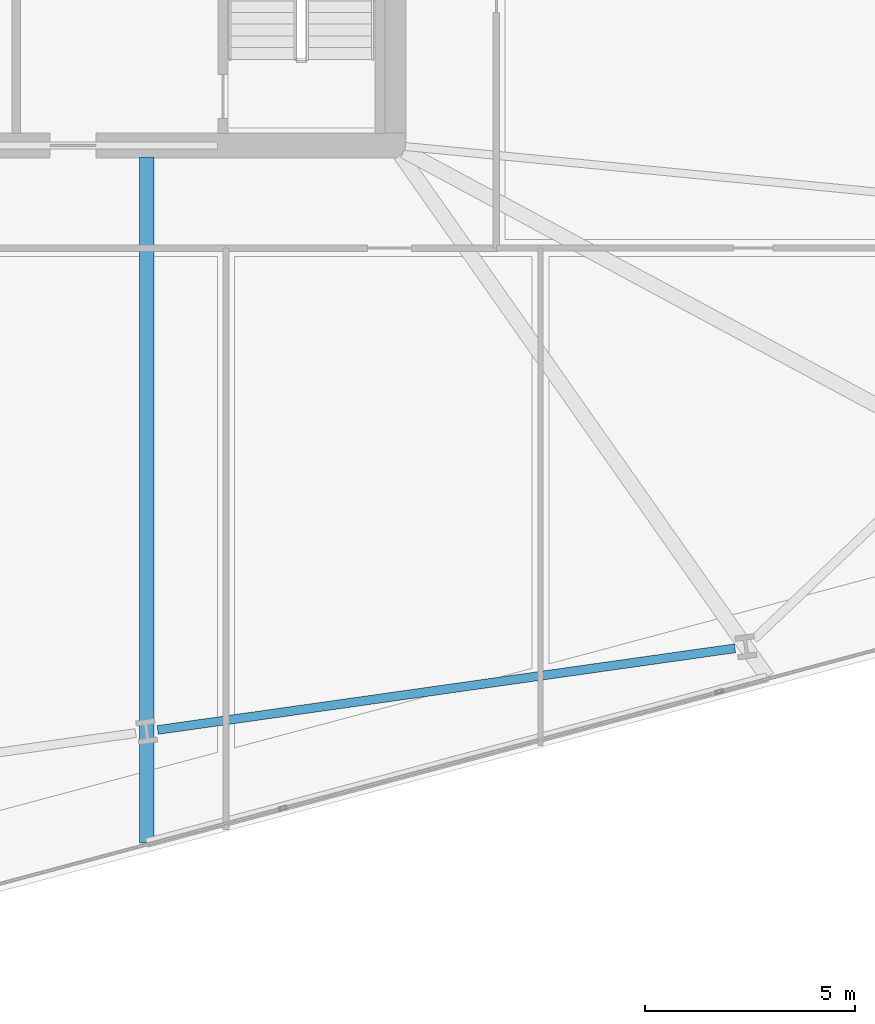
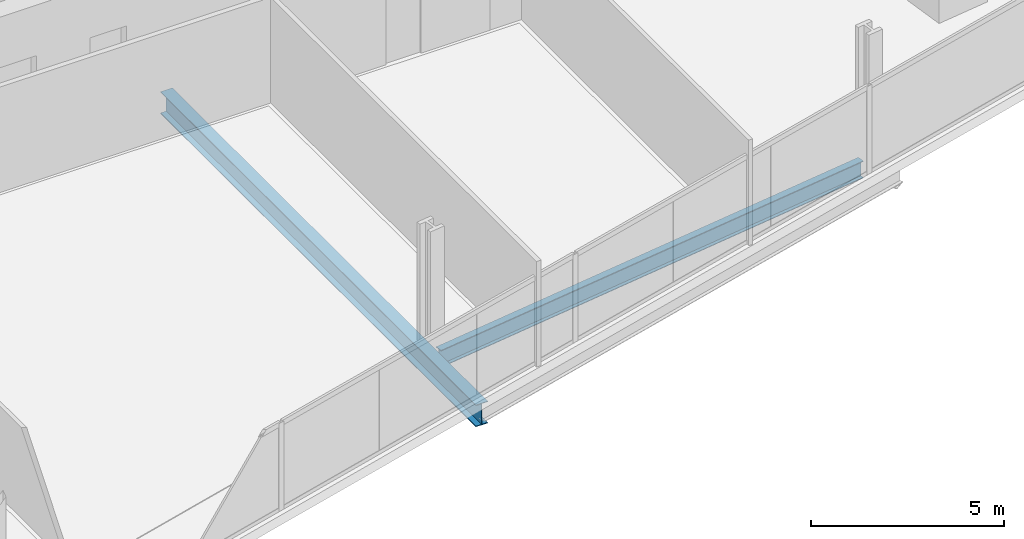
# One storey, part 8 of 33: 2 beams.
"""IFC4 building model written with IfcOpenShell, lengths in metres."""

import ifcopenshell
import ifcopenshell.guid

model = None  # the IFC model being written
_history = None  # IfcOwnerHistory: only IFC2X3 demands one
_inside = {}  # id of a spatial element -> (the spatial element, [elements in it])
_under = {}  # id of a project, library or spatial element -> (it, [spatial elements below it])
_declared = {}  # id of a project -> (the project, [libraries it declares])
_typed = {}  # id of a type object -> (the type object, [elements of that type])
_made_of = {}  # id of a material, layer set ... -> (it, [elements and type objects made of it])


def new_model(schema):
    """Start an empty IFC model of exactly this schema.

    Asked for "IFC4X3", IfcOpenShell would pick the latest addendum, in which some entities
    have other attributes; the version numbers below select the first issue.
    IFC2X3 requires an IfcOwnerHistory on every rooted entity: one is made here for all.
    """
    global model, _history
    if schema == "IFC4X3":
        model = ifcopenshell.file(schema_version=(4, 3, 0, 0))
    else:
        model = ifcopenshell.file(schema=schema)
    _inside.clear()
    _under.clear()
    _declared.clear()
    _typed.clear()
    _made_of.clear()
    _history = None
    if model.schema == "IFC2X3":
        org = make("IfcOrganization", Name="unknown")
        user = make(
            "IfcPersonAndOrganization",
            ThePerson=make("IfcPerson", FamilyName="unknown"),
            TheOrganization=org,
        )
        app = make(
            "IfcApplication",
            ApplicationDeveloper=org,
            Version="unknown",
            ApplicationFullName="unknown",
            ApplicationIdentifier="unknown",
        )
        _history = make(
            "IfcOwnerHistory",
            OwningUser=user,
            OwningApplication=app,
            ChangeAction="ADDED",
            CreationDate=0,
        )
    return model


def make(cls, **values):
    """One entity of the class cls with the attributes given. An attribute that is None is left unset."""
    return model.create_entity(
        cls, **{name: value for name, value in values.items() if value is not None}
    )


def rooted(cls, **values):
    """An entity with a GlobalId (a new one), such as an element, a storey or a relation."""
    return make(cls, GlobalId=ifcopenshell.guid.new(), OwnerHistory=_history, **values)


def si_unit(unit_type, name, prefix=None):
    """IfcSIUnit, for example si_unit("LENGTHUNIT", "METRE", prefix="MILLI")."""
    return make("IfcSIUnit", UnitType=unit_type, Prefix=prefix, Name=name)


def assignment(units):
    """IfcUnitAssignment: the units of a project."""
    return None if units is None else make("IfcUnitAssignment", Units=units)


def point(xyz):
    """IfcCartesianPoint."""
    return None if xyz is None else make("IfcCartesianPoint", Coordinates=xyz)


def direction(xyz):
    """IfcDirection."""
    return None if xyz is None else make("IfcDirection", DirectionRatios=xyz)


def frame(location, z_axis=None, x_axis=None):
    """IfcAxis2Placement3D, a coordinate frame: its origin and axes. An axis left out is left unset."""
    return make(
        "IfcAxis2Placement3D",
        Location=point(location),
        Axis=direction(z_axis),
        RefDirection=direction(x_axis),
    )


def frame_2d(location, x_axis=None):
    """IfcAxis2Placement2D, a coordinate frame in the plane: its origin and x axis."""
    return make(
        "IfcAxis2Placement2D", Location=point(location), RefDirection=direction(x_axis)
    )


def origin():
    """The frame at (0, 0, 0) with its axes left unset."""
    return frame((0.0, 0.0, 0.0))


def origin_2d():
    """The frame at (0, 0) in the plane with its x axis left unset."""
    return frame_2d((0.0, 0.0))


def place(relative_to, where):
    """IfcLocalPlacement: puts the frame where relative to a parent placement (None: the world)."""
    return make(
        "IfcLocalPlacement", PlacementRelTo=relative_to, RelativePlacement=where
    )


def context(
    kind, dimensions, precision=None, world=None, true_north=None, identifier=None
):
    """IfcGeometricRepresentationContext, for example the 3D "Model" context."""
    return make(
        "IfcGeometricRepresentationContext",
        ContextIdentifier=identifier,
        ContextType=kind,
        CoordinateSpaceDimension=dimensions,
        Precision=precision,
        WorldCoordinateSystem=world,
        TrueNorth=true_north,
    )


def subcontext(parent, identifier, kind, view, scale=None):
    """IfcGeometricRepresentationSubContext, for example "Body" below "Model"."""
    return make(
        "IfcGeometricRepresentationSubContext",
        ContextIdentifier=identifier,
        ContextType=kind,
        ParentContext=parent,
        TargetScale=scale,
        TargetView=view,
    )


def project(units=None, contexts=None):
    """IfcProject with its units and contexts."""
    return rooted(
        "IfcProject",
        Name="project",
        RepresentationContexts=contexts,
        UnitsInContext=assignment(units),
    )


def spatial(cls, under=None, at=None, **own):
    """A site, building, storey or space (cls), placed at a placement, below another one or the project."""
    s = rooted(cls, ObjectPlacement=at, **own)
    if under is not None:
        _under.setdefault(under.id(), (under, []))[1].append(s)
    return s


def profile(cls, at=None, kind="AREA", **sizes):
    """A parametric profile (cls). Its sizes go by their IFC names, for example OverallWidth=200.0."""
    return make(cls, ProfileType=kind, Position=at, **sizes)


def i_section(**sizes):
    """IfcIShapeProfileDef."""
    return profile("IfcIShapeProfileDef", **sizes)


def extrude(swept, where, along, depth):
    """IfcExtrudedAreaSolid: the profile swept, set in the frame where, extruded along a direction by depth."""
    return make(
        "IfcExtrudedAreaSolid",
        SweptArea=swept,
        Position=where,
        ExtrudedDirection=direction(along),
        Depth=depth,
    )


def shape(context_of_items, identifier, shape_type, items):
    """IfcShapeRepresentation: the items that make up one representation, for example the "Body"."""
    return make(
        "IfcShapeRepresentation",
        ContextOfItems=context_of_items,
        RepresentationIdentifier=identifier,
        RepresentationType=shape_type,
        Items=items,
    )


def material(Name=None, Category=None):
    """IfcMaterial."""
    return make("IfcMaterial", Name=Name, Category=Category)


def material_profile(
    of_material, cross_section, Name=None, Category=None, Priority=None
):
    """IfcMaterialProfile: a cross section and its material."""
    return make(
        "IfcMaterialProfile",
        Name=Name,
        Material=of_material,
        Profile=cross_section,
        Priority=Priority,
        Category=Category,
    )


def profile_set(profiles, Name=None, composite=None):
    """IfcMaterialProfileSet."""
    return make(
        "IfcMaterialProfileSet",
        Name=Name,
        MaterialProfiles=profiles,
        CompositeProfile=composite,
    )


def made_of(thing, what):
    """Note that an element or type object is made of a material, layer set ...; save() writes the relation."""
    if what is not None:
        _made_of.setdefault(what.id(), (what, []))[1].append(thing)
    return thing


def type_object(cls, material=None, **own):
    """A type object (cls), such as IfcWallType, which elements share."""
    return made_of(rooted(cls, **own), material)


def element(
    cls,
    number,
    at=None,
    inside=None,
    cuts=None,
    type_object=None,
    material=None,
    context=None,
    identifier="Body",
    shape_type=None,
    held_by="IfcProductDefinitionShape",
    body=None,
    shapes=None,
    **own,
):
    """One element of the class cls, such as IfcWall. Its Tag is "e" and its number.

    at: its placement. inside: the storey or other place that contains it. cuts: it is an
    opening in that element (IfcRelVoidsElement). A single representation is given by context,
    identifier, shape_type and body (its items); several are given by shapes. held_by: the class
    of the entity that holds the representations. save() writes the other relations.
    """
    e = rooted(cls, Tag="e%d" % number, ObjectPlacement=at, **own)
    if body is not None:
        shapes = [shape(context, identifier, shape_type, body)]
    if shapes is not None:
        e.Representation = make(held_by, Representations=shapes)
    if inside is not None:
        _inside.setdefault(inside.id(), (inside, []))[1].append(e)
    if cuts is not None:
        rooted(
            "IfcRelVoidsElement", RelatingBuildingElement=cuts, RelatedOpeningElement=e
        )
    if type_object is not None:
        _typed.setdefault(type_object.id(), (type_object, []))[1].append(e)
    return made_of(e, material)


def aggregate(whole, parts):
    """IfcRelAggregates: a whole, such as a stair, and the parts it consists of."""
    return rooted("IfcRelAggregates", RelatingObject=whole, RelatedObjects=parts)


def save(model, path):
    """Write the relations noted so far, then the file.

    IfcRelAggregates (storeys below a building ...), IfcRelContainedInSpatialStructure (elements
    in a storey), IfcRelDefinesByType, IfcRelAssociatesMaterial and IfcRelDeclares: one each for
    every whole, place, type object, material and project.
    """
    for whole, parts in _under.values():
        aggregate(whole, parts)
    for where, things in _inside.values():
        rooted(
            "IfcRelContainedInSpatialStructure",
            RelatedElements=things,
            RelatingStructure=where,
        )
    for kind, things in _typed.values():
        rooted("IfcRelDefinesByType", RelatedObjects=things, RelatingType=kind)
    for what, things in _made_of.values():
        rooted("IfcRelAssociatesMaterial", RelatedObjects=things, RelatingMaterial=what)
    for by, libraries in _declared.values():
        rooted("IfcRelDeclares", RelatingContext=by, RelatedDefinitions=libraries)
    model.write(path)


model = new_model("IFC4")

# Units and contexts
model_context = context("Model", 3, precision=1e-05, world=origin(), true_north=direction((0.0, 1.0)))
body_context = subcontext(model_context, "Body", "Model", "MODEL_VIEW")
ifc_project = project(units=[si_unit("LENGTHUNIT", "METRE"), si_unit("AREAUNIT", "SQUARE_METRE"), si_unit("VOLUMEUNIT", "CUBIC_METRE"), si_unit("PLANEANGLEUNIT", "RADIAN"), si_unit("MASSUNIT", "GRAM", prefix="KILO")], contexts=[model_context])

# Site, building, storey
site_placement = place(None, origin())
site = spatial("IfcSite", under=ifc_project, at=site_placement, CompositionType="ELEMENT")
building_placement = place(site_placement, origin())
building = spatial("IfcBuilding", under=site, at=building_placement, Name="Haldenkirk Collegiate Tower", CompositionType="ELEMENT")
storey_placement = place(building_placement, frame((0.0, 0.0, 77.699951171875)))
storey = spatial("IfcBuildingStorey", under=building, at=storey_placement, Name="L18", CompositionType="ELEMENT", Elevation=77.699951171875)

# Beams
ifc_material = material(Name="Steel ASTM A992 Grade 50", Category="steel")
ifc_material_profile_1 = material_profile(ifc_material, i_section(OverallWidth=0.35498046875, OverallDepth=0.696044921875, WebThickness=0.015380859375, FlangeThickness=0.02490234375, at=origin_2d()), Name="W27X146")
ifc_profile_set_1 = profile_set([ifc_material_profile_1], Name="Steel ASTM A992 Grade 50")
beam_type_1 = type_object("IfcBeamType", Name="BM-GIRDER-W27X146", PredefinedType="BEAM", material=ifc_profile_set_1)
beam_1_placement = place(storey_placement, frame((39.10888671875, 1.363037109375, -0.657958984375), z_axis=(0.0, 1.0, 0.0), x_axis=(-1.0, 0.0, 0.0)))
element("IfcBeam", 1, at=beam_1_placement, inside=storey, type_object=beam_type_1, Name="L18 primary floor girder 06", PredefinedType="BEAM", context=body_context, shape_type="SweptSolid", body=[
    extrude(i_section(OverallWidth=0.35498046875, OverallDepth=0.696044921875, WebThickness=0.015380859375, FlangeThickness=0.02490234375, at=origin_2d()), origin(), (0.0, 0.0, 1.0), 16.35693359375),
])
ifc_material_profile_2 = material_profile(ifc_material, i_section(OverallWidth=0.2119140625, OverallDepth=0.5439453125, WebThickness=0.01318359375, FlangeThickness=0.021240234375, at=origin_2d()), Name="W21X83")
ifc_profile_set_2 = profile_set([ifc_material_profile_2], Name="Steel ASTM A992 Grade 50")
beam_type_2 = type_object("IfcBeamType", Name="BM-SPANDREL-W21X83", PredefinedType="SPANDREL", material=ifc_profile_set_2)
beam_2_placement = place(storey_placement, frame((39.37060546875, 4.055908203125, -0.58203125), z_axis=(0.990146197746, 0.14003752029, 0.0), x_axis=(-0.14003752029, 0.990146197746, 0.0)))
element("IfcBeam", 2, at=beam_2_placement, inside=storey, type_object=beam_type_2, Name="L18 perimeter spandrel beam 03", PredefinedType="SPANDREL", context=body_context, shape_type="SweptSolid", body=[
    extrude(i_section(OverallWidth=0.2119140625, OverallDepth=0.5439453125, WebThickness=0.01318359375, FlangeThickness=0.021240234375, at=origin_2d()), origin(), (0.0, 0.0, 1.0), 13.906982421875),
])

save(model, "model.ifc")
